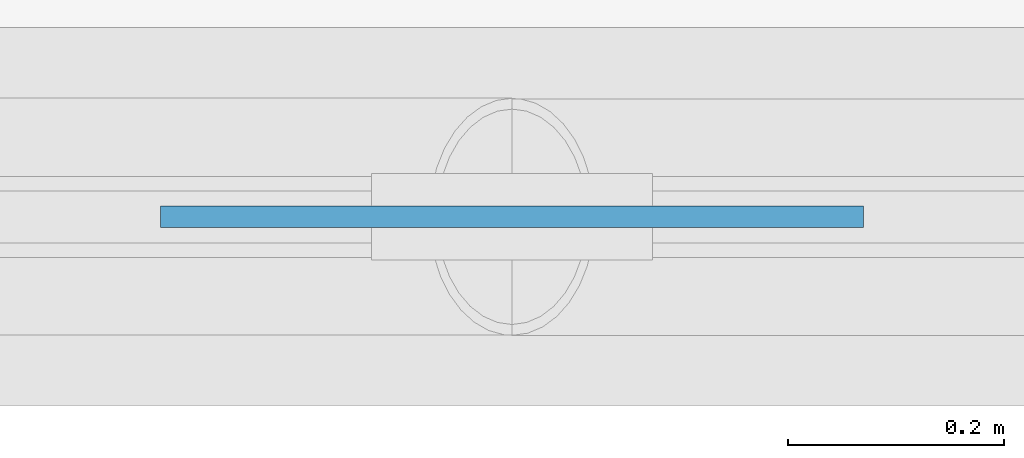
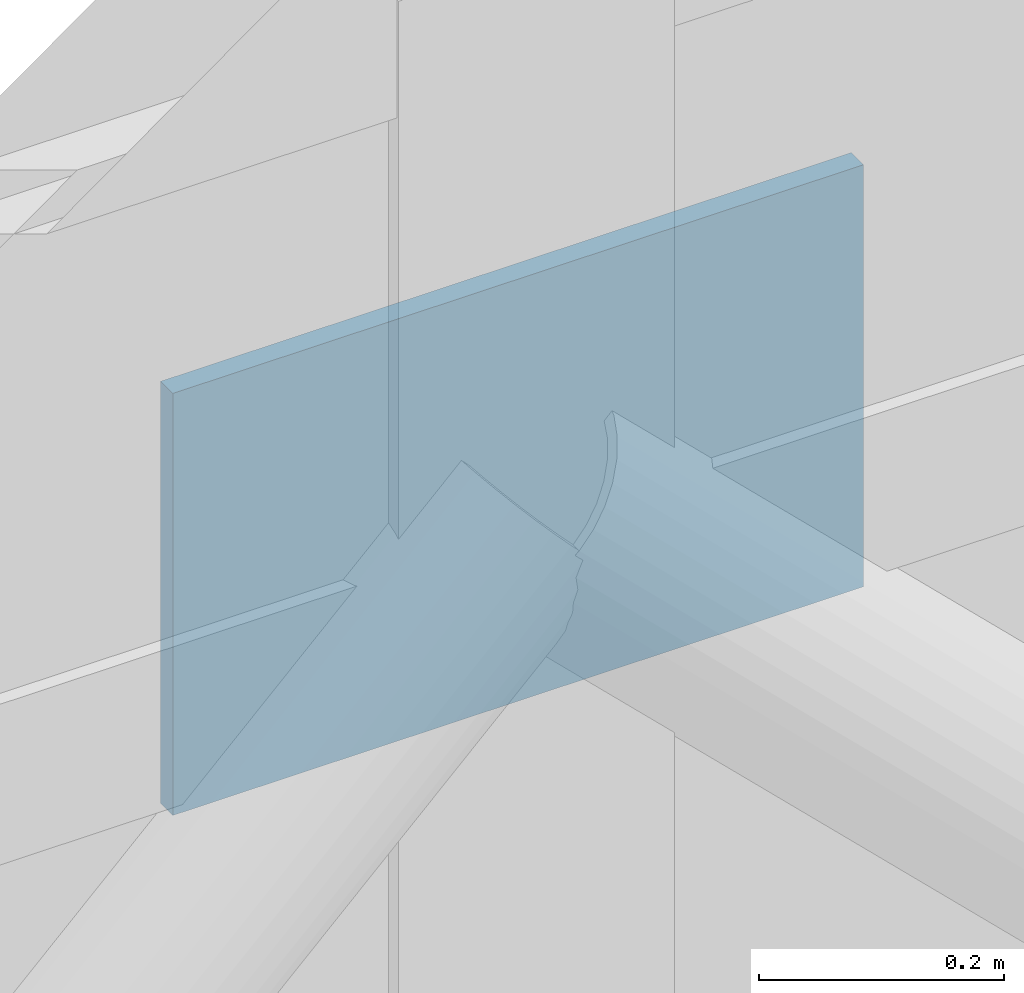
# One storey, part 36 of 62: 1 plate.
"""IFC4 building model written with IfcOpenShell, lengths in metres."""

from ifc_helpers import new_model, si_unit, direction, frame, origin, origin_2d, place, context, subcontext, project, spatial, rectangle, extrude, material, type_object, element, save


model = new_model("IFC4")

# Units and contexts
model_context = context("Model", 3, precision=1e-05, world=origin(), true_north=direction((0.0, 1.0)))
body_context = subcontext(model_context, "Body", "Model", "MODEL_VIEW")
ifc_project = project(units=[si_unit("LENGTHUNIT", "METRE"), si_unit("AREAUNIT", "SQUARE_METRE"), si_unit("VOLUMEUNIT", "CUBIC_METRE"), si_unit("PLANEANGLEUNIT", "RADIAN"), si_unit("MASSUNIT", "GRAM", prefix="KILO")], contexts=[model_context])

# Site, building, storey
site_placement = place(None, origin())
site = spatial("IfcSite", under=ifc_project, at=site_placement, CompositionType="ELEMENT")
building_placement = place(site_placement, origin())
building = spatial("IfcBuilding", under=site, at=building_placement, Name="Valkovuoma Quantum and Materials Research Institute", CompositionType="ELEMENT")
storey_placement = place(building_placement, frame((0.0, 0.0, 13.1201171875)))
storey = spatial("IfcBuildingStorey", under=building, at=storey_placement, Name="L03", CompositionType="ELEMENT", Elevation=13.1201171875)

# Plate
ifc_material = material(Name="Steel S355J2", Category="steel")
plate_type = type_object("IfcPlateType", Name="Plate-PL-SHT2", PredefinedType="SHEET", material=ifc_material)
plate_placement = place(storey_placement, frame((46.800048828125, 36.0, 3.39990234375), z_axis=(0.0, 0.0, 1.0), x_axis=(1.0, 0.0, 0.0)))
element("IfcPlate", 1, at=plate_placement, inside=storey, type_object=plate_type, Name="L03 chevron node sheet plate 04", PredefinedType="SHEET", context=body_context, shape_type="SweptSolid", body=[
    extrude(rectangle(XDim=0.64990234375, YDim=0.02001953125, at=origin_2d()), origin(), (0.0, 0.0, 1.0), 0.419921875),
])

save(model, "model.ifc")
